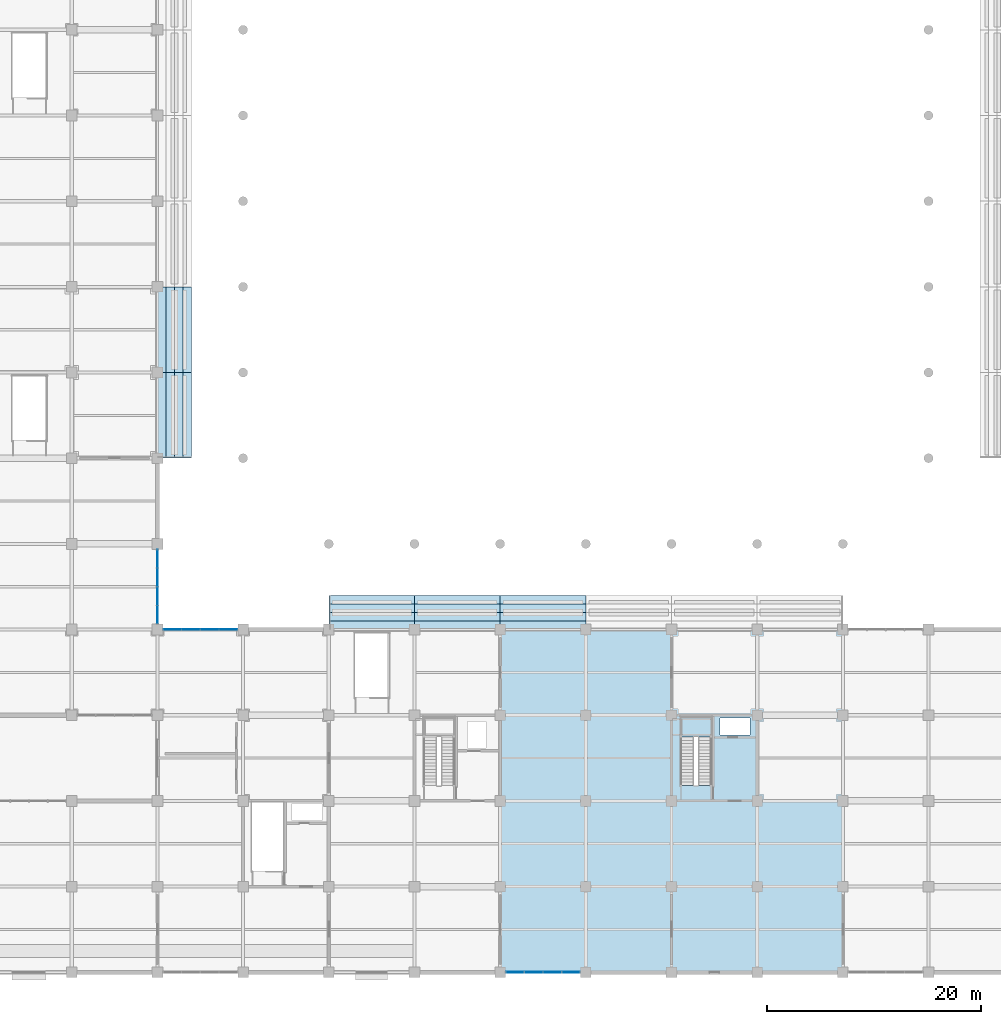
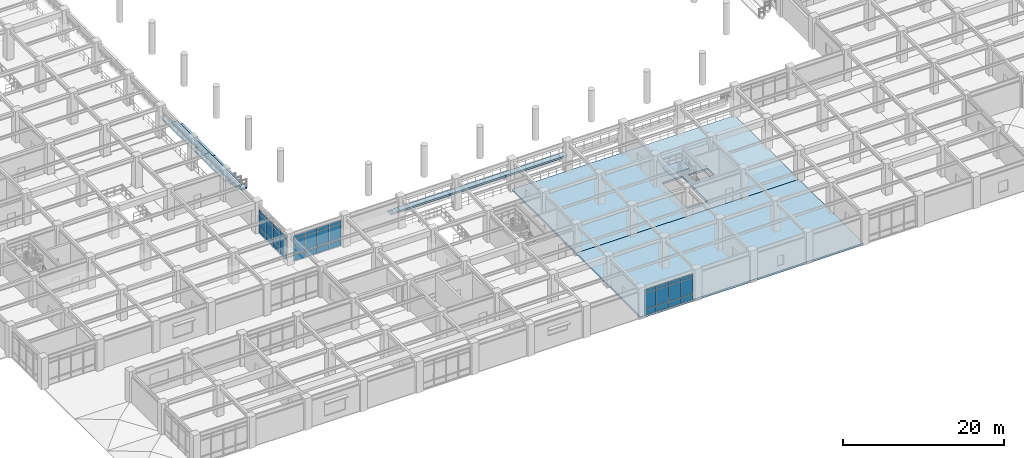
# One storey, part 58 of 117: 36 plates, 23 slabs, 4 elements without a shape of their own.
"""IFC4 building model written with IfcOpenShell, lengths in metres."""

from ifc_helpers import new_model, si_unit, direction, frame, origin, origin_2d, place, context, subcontext, project, spatial, polyline, rectangle, outline, extrude, material, layer, layer_set, type_object, element, aggregate, save


model = new_model("IFC4")

# Units and contexts
model_context = context("Model", 3, precision=1e-05, world=origin(), true_north=direction((0.0, 1.0)))
body_context = subcontext(model_context, "Body", "Model", "MODEL_VIEW")
ifc_project = project(units=[si_unit("LENGTHUNIT", "METRE"), si_unit("AREAUNIT", "SQUARE_METRE"), si_unit("VOLUMEUNIT", "CUBIC_METRE"), si_unit("PLANEANGLEUNIT", "RADIAN"), si_unit("MASSUNIT", "GRAM", prefix="KILO")], contexts=[model_context])

# Site, building, storey
site_placement = place(None, origin())
site = spatial("IfcSite", under=ifc_project, at=site_placement, CompositionType="ELEMENT")
building_placement = place(site_placement, origin())
building = spatial("IfcBuilding", under=site, at=building_placement, Name="Haebicheon Civic Stadium", CompositionType="ELEMENT")
storey_placement = place(building_placement, frame((0.0, 0.0, 4.800048828125)))
storey = spatial("IfcBuildingStorey", under=building, at=storey_placement, Name="L02", CompositionType="ELEMENT", Elevation=4.800048828125)

# Curtain wall, plates
ifc_material_1 = material(Name="Anodised aluminium and laminated glass", Category="aluminium")
ifc_layer_1 = layer(ifc_material_1, 0.179931640625, Name="Anodised aluminium and laminated glass")
ifc_layer_set_1 = layer_set([ifc_layer_1], Name="Anodised aluminium and laminated glass")
curtain_wall_type_1 = type_object("IfcCurtainWallType", Name="CW-7000x3610", PredefinedType="NOTDEFINED", material=ifc_layer_set_1)
curtain_wall_1_placement = place(storey_placement, origin())
curtain_wall_1 = element("IfcCurtainWall", 1, at=curtain_wall_1_placement, inside=storey, type_object=curtain_wall_type_1, material=ifc_layer_set_1, Name="L02 unitised curtain wall 043", PredefinedType="NOTDEFINED")
ifc_material_2 = material(Name="Double low-e laminated glass", Category="glass")
ifc_layer_2 = layer(ifc_material_2, 0.028076171875, Name="Double low-e laminated glass")
ifc_layer_set_2 = layer_set([ifc_layer_2], Name="Double low-e laminated glass")
plate_type_1 = type_object("IfcPlateType", Name="CWP-GLZ-28", PredefinedType="CURTAIN_PANEL", material=ifc_layer_set_2)
plate_1_placement = place(storey_placement, frame((64.0, 33.39208984375, 0.93505859375), z_axis=(0.0, 0.0, 1.0), x_axis=(0.0, 1.0, 0.0)))
plate_1 = element("IfcPlate", 2, at=plate_1_placement, type_object=plate_type_1, material=ifc_layer_set_2, Name="CW-L02-043 vision panel 1.2", PredefinedType="CURTAIN_PANEL", context=body_context, shape_type="SweptSolid", body=[
    extrude(rectangle(XDim=1.64501953125, YDim=0.028076171875, at=origin_2d()), origin(), (0.0, 0.0, 1.0), 2.090087890625),
])
plate_2_placement = place(storey_placement, frame((64.0, 35.125, 0.93505859375), z_axis=(0.0, 0.0, 1.0), x_axis=(0.0, 1.0, 0.0)))
plate_2 = element("IfcPlate", 3, at=plate_2_placement, type_object=plate_type_1, material=ifc_layer_set_2, Name="CW-L02-043 vision panel 2.2", PredefinedType="CURTAIN_PANEL", context=body_context, shape_type="SweptSolid", body=[
    extrude(rectangle(XDim=1.679931640625, YDim=0.028076171875, at=origin_2d()), origin(), (0.0, 0.0, 1.0), 2.090087890625),
])
plate_3_placement = place(storey_placement, frame((64.0, 36.875, 0.93505859375), z_axis=(0.0, 0.0, 1.0), x_axis=(0.0, 1.0, 0.0)))
plate_3 = element("IfcPlate", 4, at=plate_3_placement, type_object=plate_type_1, material=ifc_layer_set_2, Name="CW-L02-043 vision panel 3.2", PredefinedType="CURTAIN_PANEL", context=body_context, shape_type="SweptSolid", body=[
    extrude(rectangle(XDim=1.679931640625, YDim=0.028076171875, at=origin_2d()), origin(), (0.0, 0.0, 1.0), 2.090087890625),
])
plate_4_placement = place(storey_placement, frame((64.0, 38.60791015625, 0.93505859375), z_axis=(0.0, 0.0, 1.0), x_axis=(0.0, 1.0, 0.0)))
plate_4 = element("IfcPlate", 5, at=plate_4_placement, type_object=plate_type_1, material=ifc_layer_set_2, Name="CW-L02-043 vision panel 4.2", PredefinedType="CURTAIN_PANEL", context=body_context, shape_type="SweptSolid", body=[
    extrude(rectangle(XDim=1.64501953125, YDim=0.028076171875, at=origin_2d()), origin(), (0.0, 0.0, 1.0), 2.090087890625),
])

ifc_material_3 = material(Name="Anodised aluminium and laminated glass", Category="aluminium")
ifc_layer_3 = layer(ifc_material_3, 0.179931640625, Name="Anodised aluminium and laminated glass")
ifc_layer_set_3 = layer_set([ifc_layer_3], Name="Anodised aluminium and laminated glass")
curtain_wall_type_2 = type_object("IfcCurtainWallType", Name="CW-7000x3910", PredefinedType="NOTDEFINED", material=ifc_layer_set_3)
curtain_wall_2_placement = place(storey_placement, origin())
curtain_wall_2 = element("IfcCurtainWall", 6, at=curtain_wall_2_placement, inside=storey, type_object=curtain_wall_type_2, material=ifc_layer_set_3, Name="L02 unitised curtain wall 045", PredefinedType="NOTDEFINED")
plate_5_placement = place(storey_placement, frame((65.39208984375, 32.0, 0.93505859375), z_axis=(0.0, 0.0, 1.0), x_axis=(1.0, 0.0, 0.0)))
plate_5 = element("IfcPlate", 7, at=plate_5_placement, type_object=plate_type_1, material=ifc_layer_set_2, Name="CW-L02-045 vision panel 1.2", PredefinedType="CURTAIN_PANEL", context=body_context, shape_type="SweptSolid", body=[
    extrude(rectangle(XDim=1.64501953125, YDim=0.028076171875, at=origin_2d()), origin(), (0.0, 0.0, 1.0), 2.389892578125),
])
plate_6_placement = place(storey_placement, frame((67.125, 32.0, 0.93505859375), z_axis=(0.0, 0.0, 1.0), x_axis=(1.0, 0.0, 0.0)))
plate_6 = element("IfcPlate", 8, at=plate_6_placement, type_object=plate_type_1, material=ifc_layer_set_2, Name="CW-L02-045 vision panel 2.2", PredefinedType="CURTAIN_PANEL", context=body_context, shape_type="SweptSolid", body=[
    extrude(rectangle(XDim=1.679931640625, YDim=0.028076171875, at=origin_2d()), origin(), (0.0, 0.0, 1.0), 2.389892578125),
])
plate_7_placement = place(storey_placement, frame((68.875, 32.0, 0.93505859375), z_axis=(0.0, 0.0, 1.0), x_axis=(1.0, 0.0, 0.0)))
plate_7 = element("IfcPlate", 9, at=plate_7_placement, type_object=plate_type_1, material=ifc_layer_set_2, Name="CW-L02-045 vision panel 3.2", PredefinedType="CURTAIN_PANEL", context=body_context, shape_type="SweptSolid", body=[
    extrude(rectangle(XDim=1.679931640625, YDim=0.028076171875, at=origin_2d()), origin(), (0.0, 0.0, 1.0), 2.389892578125),
])
plate_8_placement = place(storey_placement, frame((70.60791015625, 32.0, 0.93505859375), z_axis=(0.0, 0.0, 1.0), x_axis=(1.0, 0.0, 0.0)))
plate_8 = element("IfcPlate", 10, at=plate_8_placement, type_object=plate_type_1, material=ifc_layer_set_2, Name="CW-L02-045 vision panel 4.2", PredefinedType="CURTAIN_PANEL", context=body_context, shape_type="SweptSolid", body=[
    extrude(rectangle(XDim=1.64501953125, YDim=0.028076171875, at=origin_2d()), origin(), (0.0, 0.0, 1.0), 2.389892578125),
])

ifc_material_4 = material(Name="Anodised aluminium and laminated glass", Category="aluminium")
ifc_layer_4 = layer(ifc_material_4, 0.179931640625, Name="Anodised aluminium and laminated glass")
ifc_layer_set_4 = layer_set([ifc_layer_4], Name="Anodised aluminium and laminated glass")
curtain_wall_type_3 = type_object("IfcCurtainWallType", Name="CW-7000x3950", PredefinedType="NOTDEFINED", material=ifc_layer_set_4)
curtain_wall_3_placement = place(storey_placement, origin())
curtain_wall_3 = element("IfcCurtainWall", 11, at=curtain_wall_3_placement, inside=storey, type_object=curtain_wall_type_3, material=ifc_layer_set_4, Name="L02 unitised curtain wall 047", PredefinedType="NOTDEFINED")
plate_9_placement = place(storey_placement, frame((97.39208984375, 0.0, 0.93505859375), z_axis=(0.0, 0.0, 1.0), x_axis=(1.0, 0.0, 0.0)))
plate_9 = element("IfcPlate", 12, at=plate_9_placement, type_object=plate_type_1, material=ifc_layer_set_2, Name="CW-L02-047 vision panel 1.2", PredefinedType="CURTAIN_PANEL", context=body_context, shape_type="SweptSolid", body=[
    extrude(rectangle(XDim=1.64501953125, YDim=0.028076171875, at=origin_2d()), origin(), (0.0, 0.0, 1.0), 2.429931640625),
])
plate_10_placement = place(storey_placement, frame((99.125, 0.0, 0.93505859375), z_axis=(0.0, 0.0, 1.0), x_axis=(1.0, 0.0, 0.0)))
plate_10 = element("IfcPlate", 13, at=plate_10_placement, type_object=plate_type_1, material=ifc_layer_set_2, Name="CW-L02-047 vision panel 2.2", PredefinedType="CURTAIN_PANEL", context=body_context, shape_type="SweptSolid", body=[
    extrude(rectangle(XDim=1.679931640625, YDim=0.028076171875, at=origin_2d()), origin(), (0.0, 0.0, 1.0), 2.429931640625),
])
plate_11_placement = place(storey_placement, frame((100.875, 0.0, 0.93505859375), z_axis=(0.0, 0.0, 1.0), x_axis=(1.0, 0.0, 0.0)))
plate_11 = element("IfcPlate", 14, at=plate_11_placement, type_object=plate_type_1, material=ifc_layer_set_2, Name="CW-L02-047 vision panel 3.2", PredefinedType="CURTAIN_PANEL", context=body_context, shape_type="SweptSolid", body=[
    extrude(rectangle(XDim=1.679931640625, YDim=0.028076171875, at=origin_2d()), origin(), (0.0, 0.0, 1.0), 2.429931640625),
])
plate_12_placement = place(storey_placement, frame((102.60791015625, 0.0, 0.93505859375), z_axis=(0.0, 0.0, 1.0), x_axis=(1.0, 0.0, 0.0)))
plate_12 = element("IfcPlate", 15, at=plate_12_placement, type_object=plate_type_1, material=ifc_layer_set_2, Name="CW-L02-047 vision panel 4.2", PredefinedType="CURTAIN_PANEL", context=body_context, shape_type="SweptSolid", body=[
    extrude(rectangle(XDim=1.64501953125, YDim=0.028076171875, at=origin_2d()), origin(), (0.0, 0.0, 1.0), 2.429931640625),
])

# Plate
ifc_material_5 = material(Name="Anodised aluminium 6063-T6", Category="aluminium")
ifc_layer_5 = layer(ifc_material_5, 0.053955078125, Name="Anodised aluminium 6063-T6")
ifc_layer_set_5 = layer_set([ifc_layer_5], Name="Anodised aluminium 6063-T6")
plate_type_2 = type_object("IfcPlateType", Name="CWP-SPD-54", PredefinedType="CURTAIN_PANEL", material=ifc_layer_set_5)
plate_13_placement = place(storey_placement, frame((64.0, 33.39208984375, 0.034912109375), z_axis=(0.0, 0.0, 1.0), x_axis=(0.0, 1.0, 0.0)))
plate_13 = element("IfcPlate", 16, at=plate_13_placement, type_object=plate_type_2, material=ifc_layer_set_5, Name="CW-L02-043 spandrel panel 1.1", PredefinedType="CURTAIN_PANEL", context=body_context, shape_type="SweptSolid", body=[
    extrude(rectangle(XDim=1.64501953125, YDim=0.053955078125, at=origin_2d()), origin(), (0.0, 0.0, 1.0), 0.830078125),
])

plate_14_placement = place(storey_placement, frame((64.0, 33.39208984375, 3.094970703125), z_axis=(0.0, 0.0, 1.0), x_axis=(0.0, 1.0, 0.0)))
plate_14 = element("IfcPlate", 17, at=plate_14_placement, type_object=plate_type_2, material=ifc_layer_set_5, Name="CW-L02-043 spandrel panel 1.3", PredefinedType="CURTAIN_PANEL", context=body_context, shape_type="SweptSolid", body=[
    extrude(rectangle(XDim=1.64501953125, YDim=0.053955078125, at=origin_2d()), origin(), (0.0, 0.0, 1.0), 0.47998046875),
])

plate_15_placement = place(storey_placement, frame((64.0, 35.125, 0.034912109375), z_axis=(0.0, 0.0, 1.0), x_axis=(0.0, 1.0, 0.0)))
plate_15 = element("IfcPlate", 18, at=plate_15_placement, type_object=plate_type_2, material=ifc_layer_set_5, Name="CW-L02-043 spandrel panel 2.1", PredefinedType="CURTAIN_PANEL", context=body_context, shape_type="SweptSolid", body=[
    extrude(rectangle(XDim=1.679931640625, YDim=0.053955078125, at=origin_2d()), origin(), (0.0, 0.0, 1.0), 0.830078125),
])

plate_16_placement = place(storey_placement, frame((64.0, 35.125, 3.094970703125), z_axis=(0.0, 0.0, 1.0), x_axis=(0.0, 1.0, 0.0)))
plate_16 = element("IfcPlate", 19, at=plate_16_placement, type_object=plate_type_2, material=ifc_layer_set_5, Name="CW-L02-043 spandrel panel 2.3", PredefinedType="CURTAIN_PANEL", context=body_context, shape_type="SweptSolid", body=[
    extrude(rectangle(XDim=1.679931640625, YDim=0.053955078125, at=origin_2d()), origin(), (0.0, 0.0, 1.0), 0.47998046875),
])

plate_17_placement = place(storey_placement, frame((64.0, 36.875, 0.034912109375), z_axis=(0.0, 0.0, 1.0), x_axis=(0.0, 1.0, 0.0)))
plate_17 = element("IfcPlate", 20, at=plate_17_placement, type_object=plate_type_2, material=ifc_layer_set_5, Name="CW-L02-043 spandrel panel 3.1", PredefinedType="CURTAIN_PANEL", context=body_context, shape_type="SweptSolid", body=[
    extrude(rectangle(XDim=1.679931640625, YDim=0.053955078125, at=origin_2d()), origin(), (0.0, 0.0, 1.0), 0.830078125),
])

plate_18_placement = place(storey_placement, frame((64.0, 36.875, 3.094970703125), z_axis=(0.0, 0.0, 1.0), x_axis=(0.0, 1.0, 0.0)))
plate_18 = element("IfcPlate", 21, at=plate_18_placement, type_object=plate_type_2, material=ifc_layer_set_5, Name="CW-L02-043 spandrel panel 3.3", PredefinedType="CURTAIN_PANEL", context=body_context, shape_type="SweptSolid", body=[
    extrude(rectangle(XDim=1.679931640625, YDim=0.053955078125, at=origin_2d()), origin(), (0.0, 0.0, 1.0), 0.47998046875),
])

plate_19_placement = place(storey_placement, frame((64.0, 38.60791015625, 0.034912109375), z_axis=(0.0, 0.0, 1.0), x_axis=(0.0, 1.0, 0.0)))
plate_19 = element("IfcPlate", 22, at=plate_19_placement, type_object=plate_type_2, material=ifc_layer_set_5, Name="CW-L02-043 spandrel panel 4.1", PredefinedType="CURTAIN_PANEL", context=body_context, shape_type="SweptSolid", body=[
    extrude(rectangle(XDim=1.64501953125, YDim=0.053955078125, at=origin_2d()), origin(), (0.0, 0.0, 1.0), 0.830078125),
])

plate_20_placement = place(storey_placement, frame((64.0, 38.60791015625, 3.094970703125), z_axis=(0.0, 0.0, 1.0), x_axis=(0.0, 1.0, 0.0)))
plate_20 = element("IfcPlate", 23, at=plate_20_placement, type_object=plate_type_2, material=ifc_layer_set_5, Name="CW-L02-043 spandrel panel 4.3", PredefinedType="CURTAIN_PANEL", context=body_context, shape_type="SweptSolid", body=[
    extrude(rectangle(XDim=1.64501953125, YDim=0.053955078125, at=origin_2d()), origin(), (0.0, 0.0, 1.0), 0.47998046875),
])

aggregate(curtain_wall_1, [plate_13, plate_1, plate_14, plate_15, plate_2, plate_16, plate_17, plate_3, plate_18, plate_19, plate_4, plate_20])

plate_21_placement = place(storey_placement, frame((65.39208984375, 32.0, 0.034912109375), z_axis=(0.0, 0.0, 1.0), x_axis=(1.0, 0.0, 0.0)))
plate_21 = element("IfcPlate", 24, at=plate_21_placement, type_object=plate_type_2, material=ifc_layer_set_5, Name="CW-L02-045 spandrel panel 1.1", PredefinedType="CURTAIN_PANEL", context=body_context, shape_type="SweptSolid", body=[
    extrude(rectangle(XDim=1.64501953125, YDim=0.053955078125, at=origin_2d()), origin(), (0.0, 0.0, 1.0), 0.830078125),
])

plate_22_placement = place(storey_placement, frame((65.39208984375, 32.0, 3.39501953125), z_axis=(0.0, 0.0, 1.0), x_axis=(1.0, 0.0, 0.0)))
plate_22 = element("IfcPlate", 25, at=plate_22_placement, type_object=plate_type_2, material=ifc_layer_set_5, Name="CW-L02-045 spandrel panel 1.3", PredefinedType="CURTAIN_PANEL", context=body_context, shape_type="SweptSolid", body=[
    extrude(rectangle(XDim=1.64501953125, YDim=0.053955078125, at=origin_2d()), origin(), (0.0, 0.0, 1.0), 0.47998046875),
])

plate_23_placement = place(storey_placement, frame((67.125, 32.0, 0.034912109375), z_axis=(0.0, 0.0, 1.0), x_axis=(1.0, 0.0, 0.0)))
plate_23 = element("IfcPlate", 26, at=plate_23_placement, type_object=plate_type_2, material=ifc_layer_set_5, Name="CW-L02-045 spandrel panel 2.1", PredefinedType="CURTAIN_PANEL", context=body_context, shape_type="SweptSolid", body=[
    extrude(rectangle(XDim=1.679931640625, YDim=0.053955078125, at=origin_2d()), origin(), (0.0, 0.0, 1.0), 0.830078125),
])

plate_24_placement = place(storey_placement, frame((67.125, 32.0, 3.39501953125), z_axis=(0.0, 0.0, 1.0), x_axis=(1.0, 0.0, 0.0)))
plate_24 = element("IfcPlate", 27, at=plate_24_placement, type_object=plate_type_2, material=ifc_layer_set_5, Name="CW-L02-045 spandrel panel 2.3", PredefinedType="CURTAIN_PANEL", context=body_context, shape_type="SweptSolid", body=[
    extrude(rectangle(XDim=1.679931640625, YDim=0.053955078125, at=origin_2d()), origin(), (0.0, 0.0, 1.0), 0.47998046875),
])

plate_25_placement = place(storey_placement, frame((68.875, 32.0, 0.034912109375), z_axis=(0.0, 0.0, 1.0), x_axis=(1.0, 0.0, 0.0)))
plate_25 = element("IfcPlate", 28, at=plate_25_placement, type_object=plate_type_2, material=ifc_layer_set_5, Name="CW-L02-045 spandrel panel 3.1", PredefinedType="CURTAIN_PANEL", context=body_context, shape_type="SweptSolid", body=[
    extrude(rectangle(XDim=1.679931640625, YDim=0.053955078125, at=origin_2d()), origin(), (0.0, 0.0, 1.0), 0.830078125),
])

plate_26_placement = place(storey_placement, frame((68.875, 32.0, 3.39501953125), z_axis=(0.0, 0.0, 1.0), x_axis=(1.0, 0.0, 0.0)))
plate_26 = element("IfcPlate", 29, at=plate_26_placement, type_object=plate_type_2, material=ifc_layer_set_5, Name="CW-L02-045 spandrel panel 3.3", PredefinedType="CURTAIN_PANEL", context=body_context, shape_type="SweptSolid", body=[
    extrude(rectangle(XDim=1.679931640625, YDim=0.053955078125, at=origin_2d()), origin(), (0.0, 0.0, 1.0), 0.47998046875),
])

plate_27_placement = place(storey_placement, frame((70.60791015625, 32.0, 0.034912109375), z_axis=(0.0, 0.0, 1.0), x_axis=(1.0, 0.0, 0.0)))
plate_27 = element("IfcPlate", 30, at=plate_27_placement, type_object=plate_type_2, material=ifc_layer_set_5, Name="CW-L02-045 spandrel panel 4.1", PredefinedType="CURTAIN_PANEL", context=body_context, shape_type="SweptSolid", body=[
    extrude(rectangle(XDim=1.64501953125, YDim=0.053955078125, at=origin_2d()), origin(), (0.0, 0.0, 1.0), 0.830078125),
])

plate_28_placement = place(storey_placement, frame((70.60791015625, 32.0, 3.39501953125), z_axis=(0.0, 0.0, 1.0), x_axis=(1.0, 0.0, 0.0)))
plate_28 = element("IfcPlate", 31, at=plate_28_placement, type_object=plate_type_2, material=ifc_layer_set_5, Name="CW-L02-045 spandrel panel 4.3", PredefinedType="CURTAIN_PANEL", context=body_context, shape_type="SweptSolid", body=[
    extrude(rectangle(XDim=1.64501953125, YDim=0.053955078125, at=origin_2d()), origin(), (0.0, 0.0, 1.0), 0.47998046875),
])

aggregate(curtain_wall_2, [plate_21, plate_5, plate_22, plate_23, plate_6, plate_24, plate_25, plate_7, plate_26, plate_27, plate_8, plate_28])

plate_29_placement = place(storey_placement, frame((97.39208984375, 0.0, 0.034912109375), z_axis=(0.0, 0.0, 1.0), x_axis=(1.0, 0.0, 0.0)))
plate_29 = element("IfcPlate", 32, at=plate_29_placement, type_object=plate_type_2, material=ifc_layer_set_5, Name="CW-L02-047 spandrel panel 1.1", PredefinedType="CURTAIN_PANEL", context=body_context, shape_type="SweptSolid", body=[
    extrude(rectangle(XDim=1.64501953125, YDim=0.053955078125, at=origin_2d()), origin(), (0.0, 0.0, 1.0), 0.830078125),
])

plate_30_placement = place(storey_placement, frame((97.39208984375, 0.0, 3.43505859375), z_axis=(0.0, 0.0, 1.0), x_axis=(1.0, 0.0, 0.0)))
plate_30 = element("IfcPlate", 33, at=plate_30_placement, type_object=plate_type_2, material=ifc_layer_set_5, Name="CW-L02-047 spandrel panel 1.3", PredefinedType="CURTAIN_PANEL", context=body_context, shape_type="SweptSolid", body=[
    extrude(rectangle(XDim=1.64501953125, YDim=0.053955078125, at=origin_2d()), origin(), (0.0, 0.0, 1.0), 0.47998046875),
])

plate_31_placement = place(storey_placement, frame((99.125, 0.0, 0.034912109375), z_axis=(0.0, 0.0, 1.0), x_axis=(1.0, 0.0, 0.0)))
plate_31 = element("IfcPlate", 34, at=plate_31_placement, type_object=plate_type_2, material=ifc_layer_set_5, Name="CW-L02-047 spandrel panel 2.1", PredefinedType="CURTAIN_PANEL", context=body_context, shape_type="SweptSolid", body=[
    extrude(rectangle(XDim=1.679931640625, YDim=0.053955078125, at=origin_2d()), origin(), (0.0, 0.0, 1.0), 0.830078125),
])

plate_32_placement = place(storey_placement, frame((99.125, 0.0, 3.43505859375), z_axis=(0.0, 0.0, 1.0), x_axis=(1.0, 0.0, 0.0)))
plate_32 = element("IfcPlate", 35, at=plate_32_placement, type_object=plate_type_2, material=ifc_layer_set_5, Name="CW-L02-047 spandrel panel 2.3", PredefinedType="CURTAIN_PANEL", context=body_context, shape_type="SweptSolid", body=[
    extrude(rectangle(XDim=1.679931640625, YDim=0.053955078125, at=origin_2d()), origin(), (0.0, 0.0, 1.0), 0.47998046875),
])

plate_33_placement = place(storey_placement, frame((100.875, 0.0, 0.034912109375), z_axis=(0.0, 0.0, 1.0), x_axis=(1.0, 0.0, 0.0)))
plate_33 = element("IfcPlate", 36, at=plate_33_placement, type_object=plate_type_2, material=ifc_layer_set_5, Name="CW-L02-047 spandrel panel 3.1", PredefinedType="CURTAIN_PANEL", context=body_context, shape_type="SweptSolid", body=[
    extrude(rectangle(XDim=1.679931640625, YDim=0.053955078125, at=origin_2d()), origin(), (0.0, 0.0, 1.0), 0.830078125),
])

plate_34_placement = place(storey_placement, frame((100.875, 0.0, 3.43505859375), z_axis=(0.0, 0.0, 1.0), x_axis=(1.0, 0.0, 0.0)))
plate_34 = element("IfcPlate", 37, at=plate_34_placement, type_object=plate_type_2, material=ifc_layer_set_5, Name="CW-L02-047 spandrel panel 3.3", PredefinedType="CURTAIN_PANEL", context=body_context, shape_type="SweptSolid", body=[
    extrude(rectangle(XDim=1.679931640625, YDim=0.053955078125, at=origin_2d()), origin(), (0.0, 0.0, 1.0), 0.47998046875),
])

plate_35_placement = place(storey_placement, frame((102.60791015625, 0.0, 0.034912109375), z_axis=(0.0, 0.0, 1.0), x_axis=(1.0, 0.0, 0.0)))
plate_35 = element("IfcPlate", 38, at=plate_35_placement, type_object=plate_type_2, material=ifc_layer_set_5, Name="CW-L02-047 spandrel panel 4.1", PredefinedType="CURTAIN_PANEL", context=body_context, shape_type="SweptSolid", body=[
    extrude(rectangle(XDim=1.64501953125, YDim=0.053955078125, at=origin_2d()), origin(), (0.0, 0.0, 1.0), 0.830078125),
])

plate_36_placement = place(storey_placement, frame((102.60791015625, 0.0, 3.43505859375), z_axis=(0.0, 0.0, 1.0), x_axis=(1.0, 0.0, 0.0)))
plate_36 = element("IfcPlate", 39, at=plate_36_placement, type_object=plate_type_2, material=ifc_layer_set_5, Name="CW-L02-047 spandrel panel 4.3", PredefinedType="CURTAIN_PANEL", context=body_context, shape_type="SweptSolid", body=[
    extrude(rectangle(XDim=1.64501953125, YDim=0.053955078125, at=origin_2d()), origin(), (0.0, 0.0, 1.0), 0.47998046875),
])

aggregate(curtain_wall_3, [plate_29, plate_9, plate_30, plate_31, plate_10, plate_32, plate_33, plate_11, plate_34, plate_35, plate_12, plate_36])

# Slabs
ifc_material_6 = material(Name="Concrete C40/50", Category="concrete")
ifc_layer_6 = layer(ifc_material_6, 0.280029296875, Name="Concrete C40/50")
ifc_layer_set_6 = layer_set([ifc_layer_6], Name="Concrete C40/50")
slab_type_1 = type_object("IfcSlabType", Name="SLB-FLR-280", PredefinedType="FLOOR", material=ifc_layer_set_6)
slab_1_placement = place(storey_placement, frame((0.0, 0.0, -0.280029296875)))
element("IfcSlab", 40, at=slab_1_placement, inside=storey, type_object=slab_type_1, material=ifc_layer_set_6, Name="L02 V2 structural slab 4.1", PredefinedType="FLOOR", context=body_context, shape_type="SweptSolid", body=[
    extrude(outline(polyline([(128.0, 16.0), (120.0, 16.0), (112.0, 16.0), (104.0, 16.0), (96.0, 16.0), (96.0, 24.0), (96.0, 32.0), (104.0, 32.0), (112.0, 32.0), (120.0, 32.0), (128.0, 32.0), (128.0, 24.0), (128.0, 16.0)]), holes=[polyline([(112.840087890625, 17.4599609375), (115.739990234375, 17.4599609375), (115.739990234375, 23.840087890625), (112.840087890625, 23.840087890625), (112.840087890625, 17.4599609375)]), polyline([(116.550048828125, 22.14990234375), (119.35009765625, 22.14990234375), (119.35009765625, 23.75), (116.550048828125, 23.75), (116.550048828125, 22.14990234375)])]), origin(), (0.0, 0.0, 1.0), 0.280029296875),
])
slab_2_placement = place(storey_placement, frame((0.0, 0.0, -0.280029296875)))
element("IfcSlab", 41, at=slab_2_placement, inside=storey, type_object=slab_type_1, material=ifc_layer_set_6, Name="L02 V6 structural slab 3.1", PredefinedType="FLOOR", context=body_context, shape_type="SweptSolid", body=[
    extrude(outline(polyline([(128.0, 0.0), (120.0, 0.0), (112.0, 0.0), (104.0, 0.0), (96.0, 0.0), (96.0, 8.0), (96.0, 16.0), (104.0, 16.0), (112.0, 16.0), (120.0, 16.0), (128.0, 16.0), (128.0, 8.0), (128.0, 0.0)])), origin(), (0.0, 0.0, 1.0), 0.280029296875),
])

# Stair, slab
ifc_material_7 = material(Name="Concrete C40/50", Category="concrete")
stair_type = type_object("IfcStairType", Name="STR-DL-W126-H48", PredefinedType="HALF_TURN_STAIR", material=ifc_material_7)
stair_placement = place(storey_placement, origin())
stair = element("IfcStair", 42, at=stair_placement, inside=storey, type_object=stair_type, material=ifc_material_7, Name="L02 Escape stair ST-07", PredefinedType="HALF_TURN_STAIR")
ifc_material_8 = material(Name="Concrete C40/50", Category="concrete")
ifc_layer_7 = layer(ifc_material_8, 0.199951171875, Name="Concrete C40/50")
ifc_layer_set_7 = layer_set([ifc_layer_7], Name="Concrete C40/50")
slab_type_2 = type_object("IfcSlabType", Name="SLB-LND-200", PredefinedType="LANDING", material=ifc_layer_set_7)
slab_3_placement = place(storey_placement, frame((0.0, 0.0, 2.199951171875)))
slab_3 = element("IfcSlab", 43, at=slab_3_placement, type_object=slab_type_2, material=ifc_layer_set_7, Name="ST-07 landing 1", PredefinedType="LANDING", context=body_context, shape_type="SweptSolid", body=[
    extrude(outline(polyline([(115.739990234375, 21.949951171875), (115.739990234375, 23.840087890625), (112.840087890625, 23.840087890625), (112.840087890625, 21.949951171875), (115.739990234375, 21.949951171875)])), origin(), (0.0, 0.0, 1.0), 0.199951171875),
])
aggregate(stair, [slab_3])

# Slabs
ifc_material_9 = material(Name="Precast concrete C40/50", Category="concrete")
ifc_layer_8 = layer(ifc_material_9, 0.239990234375, Name="Precast concrete C40/50")
ifc_layer_set_8 = layer_set([ifc_layer_8], Name="Precast concrete C40/50")
slab_type_3 = type_object("IfcSlabType", Name="SLB-TIER-240", PredefinedType="USERDEFINED", material=ifc_layer_set_8)
slab_4_placement = place(storey_placement, frame((0.0, 0.0, 0.427001953125)))
element("IfcSlab", 44, at=slab_4_placement, inside=storey, type_object=slab_type_3, material=ifc_layer_set_8, Name="TIER-W-L precast seating tier bay 1 row-band 7", ObjectType="SEATING TIER", PredefinedType="USERDEFINED", context=body_context, shape_type="SweptSolid", body=[
    extrude(outline(polyline([(66.39990234375, 48.0), (67.199951171875, 48.0), (67.199951171875, 56.0), (66.39990234375, 56.0), (66.39990234375, 48.0)])), origin(), (0.0, 0.0, 1.0), 0.239990234375),
])
slab_5_placement = place(storey_placement, frame((0.0, 0.0, 1.137939453125)))
element("IfcSlab", 45, at=slab_5_placement, inside=storey, type_object=slab_type_3, material=ifc_layer_set_8, Name="TIER-W-L precast seating tier bay 1 row-band 8", ObjectType="SEATING TIER", PredefinedType="USERDEFINED", context=body_context, shape_type="SweptSolid", body=[
    extrude(outline(polyline([(65.60009765625, 48.0), (66.39990234375, 48.0), (66.39990234375, 56.0), (65.60009765625, 56.0), (65.60009765625, 48.0)])), origin(), (0.0, 0.0, 1.0), 0.239990234375),
])
slab_6_placement = place(storey_placement, frame((0.0, 0.0, 1.848876953125)))
element("IfcSlab", 46, at=slab_6_placement, inside=storey, type_object=slab_type_3, material=ifc_layer_set_8, Name="TIER-W-L precast seating tier bay 1 row-band 9", ObjectType="SEATING TIER", PredefinedType="USERDEFINED", context=body_context, shape_type="SweptSolid", body=[
    extrude(outline(polyline([(64.800048828125, 48.0), (65.60009765625, 48.0), (65.60009765625, 56.0), (64.800048828125, 56.0), (64.800048828125, 48.0)])), origin(), (0.0, 0.0, 1.0), 0.239990234375),
])
slab_7_placement = place(storey_placement, frame((0.0, 0.0, 2.56005859375)))
element("IfcSlab", 47, at=slab_7_placement, inside=storey, type_object=slab_type_3, material=ifc_layer_set_8, Name="TIER-W-L precast seating tier bay 1 row-band 10", ObjectType="SEATING TIER", PredefinedType="USERDEFINED", context=body_context, shape_type="SweptSolid", body=[
    extrude(outline(polyline([(64.0, 48.0), (64.800048828125, 48.0), (64.800048828125, 56.0), (64.0, 56.0), (64.0, 48.0)])), origin(), (0.0, 0.0, 1.0), 0.239990234375),
])
slab_8_placement = place(storey_placement, frame((0.0, 0.0, 0.427001953125)))
element("IfcSlab", 48, at=slab_8_placement, inside=storey, type_object=slab_type_3, material=ifc_layer_set_8, Name="TIER-W-L precast seating tier bay 2 row-band 7", ObjectType="SEATING TIER", PredefinedType="USERDEFINED", context=body_context, shape_type="SweptSolid", body=[
    extrude(outline(polyline([(66.39990234375, 56.0), (67.199951171875, 56.0), (67.199951171875, 64.0), (66.39990234375, 64.0), (66.39990234375, 56.0)])), origin(), (0.0, 0.0, 1.0), 0.239990234375),
])
slab_9_placement = place(storey_placement, frame((0.0, 0.0, 1.137939453125)))
element("IfcSlab", 49, at=slab_9_placement, inside=storey, type_object=slab_type_3, material=ifc_layer_set_8, Name="TIER-W-L precast seating tier bay 2 row-band 8", ObjectType="SEATING TIER", PredefinedType="USERDEFINED", context=body_context, shape_type="SweptSolid", body=[
    extrude(outline(polyline([(65.60009765625, 56.0), (66.39990234375, 56.0), (66.39990234375, 64.0), (65.60009765625, 64.0), (65.60009765625, 56.0)])), origin(), (0.0, 0.0, 1.0), 0.239990234375),
])
slab_10_placement = place(storey_placement, frame((0.0, 0.0, 1.848876953125)))
element("IfcSlab", 50, at=slab_10_placement, inside=storey, type_object=slab_type_3, material=ifc_layer_set_8, Name="TIER-W-L precast seating tier bay 2 row-band 9", ObjectType="SEATING TIER", PredefinedType="USERDEFINED", context=body_context, shape_type="SweptSolid", body=[
    extrude(outline(polyline([(64.800048828125, 56.0), (65.60009765625, 56.0), (65.60009765625, 64.0), (64.800048828125, 64.0), (64.800048828125, 56.0)])), origin(), (0.0, 0.0, 1.0), 0.239990234375),
])
slab_11_placement = place(storey_placement, frame((0.0, 0.0, 2.56005859375)))
element("IfcSlab", 51, at=slab_11_placement, inside=storey, type_object=slab_type_3, material=ifc_layer_set_8, Name="TIER-W-L precast seating tier bay 2 row-band 10", ObjectType="SEATING TIER", PredefinedType="USERDEFINED", context=body_context, shape_type="SweptSolid", body=[
    extrude(outline(polyline([(64.0, 56.0), (64.800048828125, 56.0), (64.800048828125, 64.0), (64.0, 64.0), (64.0, 56.0)])), origin(), (0.0, 0.0, 1.0), 0.239990234375),
])
slab_12_placement = place(storey_placement, frame((0.0, 0.0, 0.159912109375)))
element("IfcSlab", 52, at=slab_12_placement, inside=storey, type_object=slab_type_3, material=ifc_layer_set_8, Name="TIER-S-L precast seating tier bay 1 row-band 7", ObjectType="SEATING TIER", PredefinedType="USERDEFINED", context=body_context, shape_type="SweptSolid", body=[
    extrude(outline(polyline([(80.0, 34.39990234375), (88.0, 34.39990234375), (88.0, 35.199951171875), (80.0, 35.199951171875), (80.0, 34.39990234375)])), origin(), (0.0, 0.0, 1.0), 0.239990234375),
])
slab_13_placement = place(storey_placement, frame((0.0, 0.0, 0.826904296875)))
element("IfcSlab", 53, at=slab_13_placement, inside=storey, type_object=slab_type_3, material=ifc_layer_set_8, Name="TIER-S-L precast seating tier bay 1 row-band 8", ObjectType="SEATING TIER", PredefinedType="USERDEFINED", context=body_context, shape_type="SweptSolid", body=[
    extrude(outline(polyline([(80.0, 33.60009765625), (88.0, 33.60009765625), (88.0, 34.39990234375), (80.0, 34.39990234375), (80.0, 33.60009765625)])), origin(), (0.0, 0.0, 1.0), 0.239990234375),
])
slab_14_placement = place(storey_placement, frame((0.0, 0.0, 1.492919921875)))
element("IfcSlab", 54, at=slab_14_placement, inside=storey, type_object=slab_type_3, material=ifc_layer_set_8, Name="TIER-S-L precast seating tier bay 1 row-band 9", ObjectType="SEATING TIER", PredefinedType="USERDEFINED", context=body_context, shape_type="SweptSolid", body=[
    extrude(outline(polyline([(80.0, 32.800048828125), (88.0, 32.800048828125), (88.0, 33.60009765625), (80.0, 33.60009765625), (80.0, 32.800048828125)])), origin(), (0.0, 0.0, 1.0), 0.239990234375),
])
slab_15_placement = place(storey_placement, frame((0.0, 0.0, 2.159912109375)))
element("IfcSlab", 55, at=slab_15_placement, inside=storey, type_object=slab_type_3, material=ifc_layer_set_8, Name="TIER-S-L precast seating tier bay 1 row-band 10", ObjectType="SEATING TIER", PredefinedType="USERDEFINED", context=body_context, shape_type="SweptSolid", body=[
    extrude(outline(polyline([(80.0, 32.0), (88.0, 32.0), (88.0, 32.800048828125), (80.0, 32.800048828125), (80.0, 32.0)])), origin(), (0.0, 0.0, 1.0), 0.239990234375),
])
slab_16_placement = place(storey_placement, frame((0.0, 0.0, 0.159912109375)))
element("IfcSlab", 56, at=slab_16_placement, inside=storey, type_object=slab_type_3, material=ifc_layer_set_8, Name="TIER-S-L precast seating tier bay 2 row-band 7", ObjectType="SEATING TIER", PredefinedType="USERDEFINED", context=body_context, shape_type="SweptSolid", body=[
    extrude(outline(polyline([(88.0, 34.39990234375), (96.0, 34.39990234375), (96.0, 35.199951171875), (88.0, 35.199951171875), (88.0, 34.39990234375)])), origin(), (0.0, 0.0, 1.0), 0.239990234375),
])
slab_17_placement = place(storey_placement, frame((0.0, 0.0, 0.826904296875)))
element("IfcSlab", 57, at=slab_17_placement, inside=storey, type_object=slab_type_3, material=ifc_layer_set_8, Name="TIER-S-L precast seating tier bay 2 row-band 8", ObjectType="SEATING TIER", PredefinedType="USERDEFINED", context=body_context, shape_type="SweptSolid", body=[
    extrude(outline(polyline([(88.0, 33.60009765625), (96.0, 33.60009765625), (96.0, 34.39990234375), (88.0, 34.39990234375), (88.0, 33.60009765625)])), origin(), (0.0, 0.0, 1.0), 0.239990234375),
])
slab_18_placement = place(storey_placement, frame((0.0, 0.0, 1.492919921875)))
element("IfcSlab", 58, at=slab_18_placement, inside=storey, type_object=slab_type_3, material=ifc_layer_set_8, Name="TIER-S-L precast seating tier bay 2 row-band 9", ObjectType="SEATING TIER", PredefinedType="USERDEFINED", context=body_context, shape_type="SweptSolid", body=[
    extrude(outline(polyline([(88.0, 32.800048828125), (96.0, 32.800048828125), (96.0, 33.60009765625), (88.0, 33.60009765625), (88.0, 32.800048828125)])), origin(), (0.0, 0.0, 1.0), 0.239990234375),
])
slab_19_placement = place(storey_placement, frame((0.0, 0.0, 2.159912109375)))
element("IfcSlab", 59, at=slab_19_placement, inside=storey, type_object=slab_type_3, material=ifc_layer_set_8, Name="TIER-S-L precast seating tier bay 2 row-band 10", ObjectType="SEATING TIER", PredefinedType="USERDEFINED", context=body_context, shape_type="SweptSolid", body=[
    extrude(outline(polyline([(88.0, 32.0), (96.0, 32.0), (96.0, 32.800048828125), (88.0, 32.800048828125), (88.0, 32.0)])), origin(), (0.0, 0.0, 1.0), 0.239990234375),
])
slab_20_placement = place(storey_placement, frame((0.0, 0.0, 0.159912109375)))
element("IfcSlab", 60, at=slab_20_placement, inside=storey, type_object=slab_type_3, material=ifc_layer_set_8, Name="TIER-S-L precast seating tier bay 3 row-band 7", ObjectType="SEATING TIER", PredefinedType="USERDEFINED", context=body_context, shape_type="SweptSolid", body=[
    extrude(outline(polyline([(96.0, 34.39990234375), (104.0, 34.39990234375), (104.0, 35.199951171875), (96.0, 35.199951171875), (96.0, 34.39990234375)])), origin(), (0.0, 0.0, 1.0), 0.239990234375),
])
slab_21_placement = place(storey_placement, frame((0.0, 0.0, 0.826904296875)))
element("IfcSlab", 61, at=slab_21_placement, inside=storey, type_object=slab_type_3, material=ifc_layer_set_8, Name="TIER-S-L precast seating tier bay 3 row-band 8", ObjectType="SEATING TIER", PredefinedType="USERDEFINED", context=body_context, shape_type="SweptSolid", body=[
    extrude(outline(polyline([(96.0, 33.60009765625), (104.0, 33.60009765625), (104.0, 34.39990234375), (96.0, 34.39990234375), (96.0, 33.60009765625)])), origin(), (0.0, 0.0, 1.0), 0.239990234375),
])
slab_22_placement = place(storey_placement, frame((0.0, 0.0, 1.492919921875)))
element("IfcSlab", 62, at=slab_22_placement, inside=storey, type_object=slab_type_3, material=ifc_layer_set_8, Name="TIER-S-L precast seating tier bay 3 row-band 9", ObjectType="SEATING TIER", PredefinedType="USERDEFINED", context=body_context, shape_type="SweptSolid", body=[
    extrude(outline(polyline([(96.0, 32.800048828125), (104.0, 32.800048828125), (104.0, 33.60009765625), (96.0, 33.60009765625), (96.0, 32.800048828125)])), origin(), (0.0, 0.0, 1.0), 0.239990234375),
])
slab_23_placement = place(storey_placement, frame((0.0, 0.0, 2.159912109375)))
element("IfcSlab", 63, at=slab_23_placement, inside=storey, type_object=slab_type_3, material=ifc_layer_set_8, Name="TIER-S-L precast seating tier bay 3 row-band 10", ObjectType="SEATING TIER", PredefinedType="USERDEFINED", context=body_context, shape_type="SweptSolid", body=[
    extrude(outline(polyline([(96.0, 32.0), (104.0, 32.0), (104.0, 32.800048828125), (96.0, 32.800048828125), (96.0, 32.0)])), origin(), (0.0, 0.0, 1.0), 0.239990234375),
])

save(model, "model.ifc")
